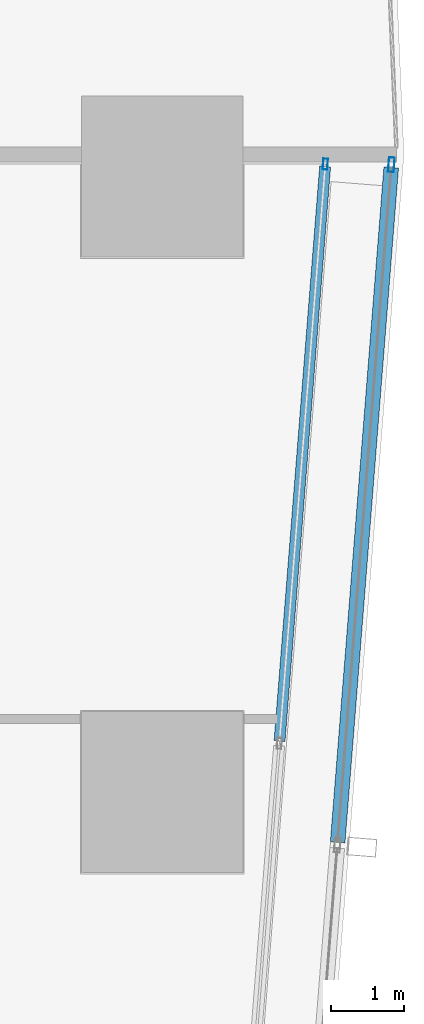
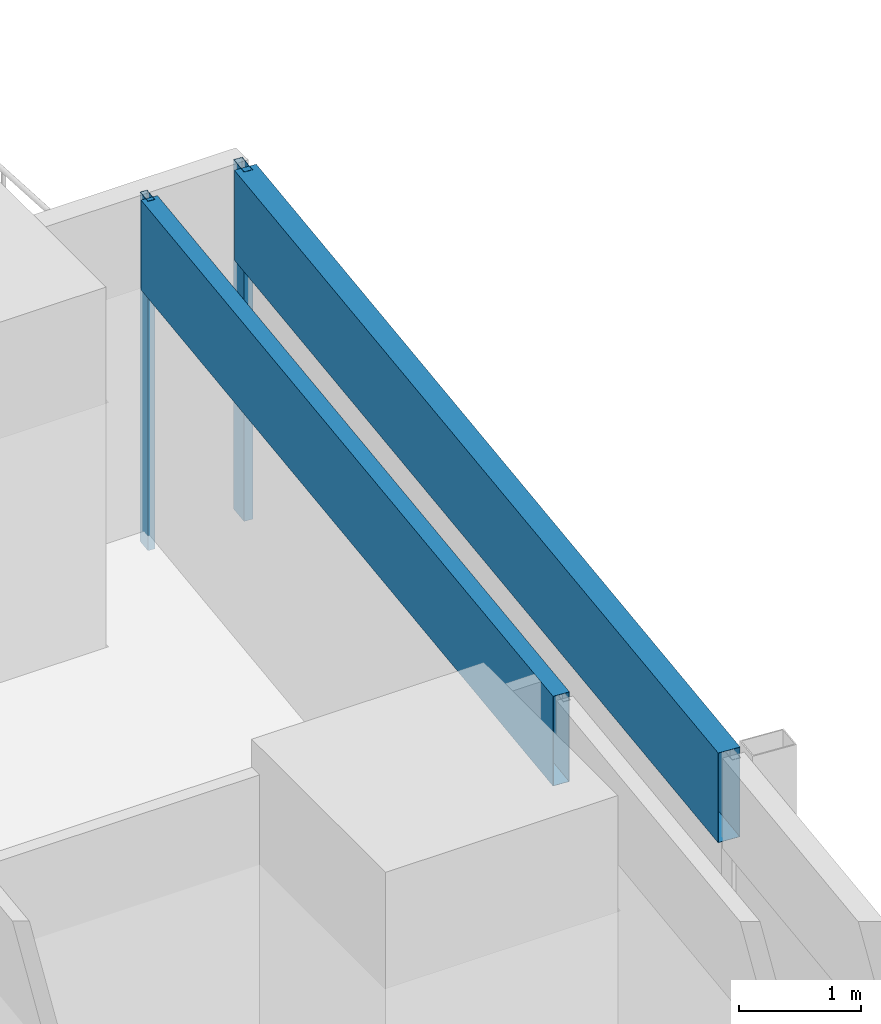
# One storey, part 26 of 42: 4 members, 2 elements without a shape of their own.
"""IFC4 building model written with IfcOpenShell, lengths in metres."""

from ifc_helpers import new_model, si_unit, direction, frame, origin, origin_2d, place, context, subcontext, project, spatial, hollow_rectangle, extrude, material, material_profile, profile_set, type_object, element, aggregate, save


model = new_model("IFC4")

# Units and contexts
model_context = context("Model", 3, precision=1e-05, world=origin(), true_north=direction((0.0, 1.0)))
body_context = subcontext(model_context, "Body", "Model", "MODEL_VIEW")
ifc_project = project(units=[si_unit("LENGTHUNIT", "METRE"), si_unit("AREAUNIT", "SQUARE_METRE"), si_unit("VOLUMEUNIT", "CUBIC_METRE"), si_unit("PLANEANGLEUNIT", "RADIAN"), si_unit("MASSUNIT", "GRAM", prefix="KILO")], contexts=[model_context])

# Site, building, storey
site_placement = place(None, origin())
site = spatial("IfcSite", under=ifc_project, at=site_placement, CompositionType="ELEMENT")
building_placement = place(site_placement, origin())
building = spatial("IfcBuilding", under=site, at=building_placement, Name="Rekha Terrace Tower", CompositionType="ELEMENT")
storey_placement = place(building_placement, frame((0.0, 0.0, 70.39990234375)))
storey = spatial("IfcBuildingStorey", under=building, at=storey_placement, Name="L17", CompositionType="ELEMENT", Elevation=70.39990234375)

# Curtain wall, members
ifc_material_1 = material(Name="Aluminium framing", Category="aluminium")
curtain_wall_type_1 = type_object("IfcCurtainWallType", Name="CW1 double skin inner glazing", PredefinedType="USERDEFINED", material=ifc_material_1)
curtain_wall_1_placement = place(storey_placement, origin())
curtain_wall_1 = element("IfcCurtainWall", 1, at=curtain_wall_1_placement, inside=storey, type_object=curtain_wall_type_1, Name="CW1 double skin inner glazing", ObjectType="DOUBLE SKIN INNER GLAZING", PredefinedType="USERDEFINED")
ifc_material_2 = material(Name="Aluminium mullion section", Category="aluminium")
ifc_material_profile_1 = material_profile(ifc_material_2, hollow_rectangle(XDim=0.06494140625, YDim=0.14990234375, WallThickness=0.00390625, at=origin_2d()), Name="AL RHS 65x150")
ifc_profile_set_1 = profile_set([ifc_material_profile_1], Name="Aluminium mullion section")
member_type_1 = type_object("IfcMemberType", Name="CW1 mullion RHS 65 x 150", PredefinedType="MULLION", material=ifc_profile_set_1)
member_1_placement = place(storey_placement, frame((69.426513671875, 25.37060546875, 0.0), z_axis=(0.0, 0.0, 1.0), x_axis=(-0.996865392578, 0.079116300982, 0.0)))
member_1 = element("IfcMember", 2, at=member_1_placement, type_object=member_type_1, Name="CW1 mullion 3", PredefinedType="MULLION", context=body_context, shape_type="SweptSolid", body=[
    extrude(hollow_rectangle(XDim=0.06494140625, YDim=0.14990234375, WallThickness=0.00390625, at=origin_2d()), origin(), (0.0, 0.0, 1.0), 3.5),
])
ifc_material_3 = material(Name="Insulated aluminium spandrel box", Category="aluminium")
ifc_material_profile_2 = material_profile(ifc_material_3, hollow_rectangle(XDim=0.14990234375, YDim=0.89990234375, WallThickness=0.0029296875, at=origin_2d()), Name="AL SPANDREL BOX 150x900")
ifc_profile_set_2 = profile_set([ifc_material_profile_2], Name="Insulated aluminium spandrel box")
member_type_2 = type_object("IfcMemberType", Name="CW1 spandrel transom 150 x 900", PredefinedType="USERDEFINED", material=ifc_profile_set_2)
member_2_placement = place(storey_placement, frame((68.801513671875, 17.49755859375, 3.050048828125), z_axis=(0.07912217646, 0.996864926252, 0.0), x_axis=(-0.996864926252, 0.07912217646, 0.0)))
member_2 = element("IfcMember", 3, at=member_2_placement, type_object=member_type_2, Name="CW1 spandrel transom 2", ObjectType="TRANSOM", PredefinedType="USERDEFINED", context=body_context, shape_type="SweptSolid", body=[
    extrude(hollow_rectangle(XDim=0.14990234375, YDim=0.89990234375, WallThickness=0.0029296875, at=origin_2d()), origin(), (0.0, 0.0, 1.0), 7.865234375),
])
aggregate(curtain_wall_1, [member_1, member_2])

curtain_wall_type_2 = type_object("IfcCurtainWallType", Name="CW2 double skin outer glazing", PredefinedType="USERDEFINED", material=ifc_material_1)
curtain_wall_2_placement = place(storey_placement, origin())
curtain_wall_2 = element("IfcCurtainWall", 4, at=curtain_wall_2_placement, inside=storey, type_object=curtain_wall_type_2, Name="CW2 double skin outer glazing", ObjectType="DOUBLE SKIN OUTER GLAZING", PredefinedType="USERDEFINED")
ifc_material_profile_3 = material_profile(ifc_material_2, hollow_rectangle(XDim=0.080078125, YDim=0.199951171875, WallThickness=0.00390625, at=origin_2d()), Name="AL RHS 80x200")
ifc_profile_set_3 = profile_set([ifc_material_profile_3], Name="Aluminium mullion section")
member_type_3 = type_object("IfcMemberType", Name="CW2 mullion RHS 80 x 200", PredefinedType="MULLION", material=ifc_profile_set_3)
member_3_placement = place(storey_placement, frame((70.32861328125, 25.363037109375, 0.0), z_axis=(0.0, 0.0, 1.0), x_axis=(-0.996865392578, 0.079116300982, 0.0)))
member_3 = element("IfcMember", 5, at=member_3_placement, type_object=member_type_3, Name="CW2 mullion 3", PredefinedType="MULLION", context=body_context, shape_type="SweptSolid", body=[
    extrude(hollow_rectangle(XDim=0.080078125, YDim=0.199951171875, WallThickness=0.00390625, at=origin_2d()), origin(), (0.0, 0.0, 1.0), 3.5),
])
ifc_material_profile_4 = material_profile(ifc_material_3, hollow_rectangle(XDim=0.199951171875, YDim=0.89990234375, WallThickness=0.0029296875, at=origin_2d()), Name="AL SPANDREL BOX 200x900")
ifc_profile_set_4 = profile_set([ifc_material_profile_4], Name="Insulated aluminium spandrel box")
member_type_4 = type_object("IfcMemberType", Name="CW2 spandrel transom 200 x 900", PredefinedType="USERDEFINED", material=ifc_profile_set_4)
member_4_placement = place(storey_placement, frame((69.5947265625, 16.11572265625, 3.050048828125), z_axis=(0.079111714731, 0.996865756555, 0.0), x_axis=(-0.996865756555, 0.079111714731, 0.0)))
member_4 = element("IfcMember", 6, at=member_4_placement, type_object=member_type_4, Name="CW2 spandrel transom 2", ObjectType="TRANSOM", PredefinedType="USERDEFINED", context=body_context, shape_type="SweptSolid", body=[
    extrude(hollow_rectangle(XDim=0.199951171875, YDim=0.89990234375, WallThickness=0.0029296875, at=origin_2d()), origin(), (0.0, 0.0, 1.0), 9.236572265625),
])
aggregate(curtain_wall_2, [member_3, member_4])

save(model, "model.ifc")
